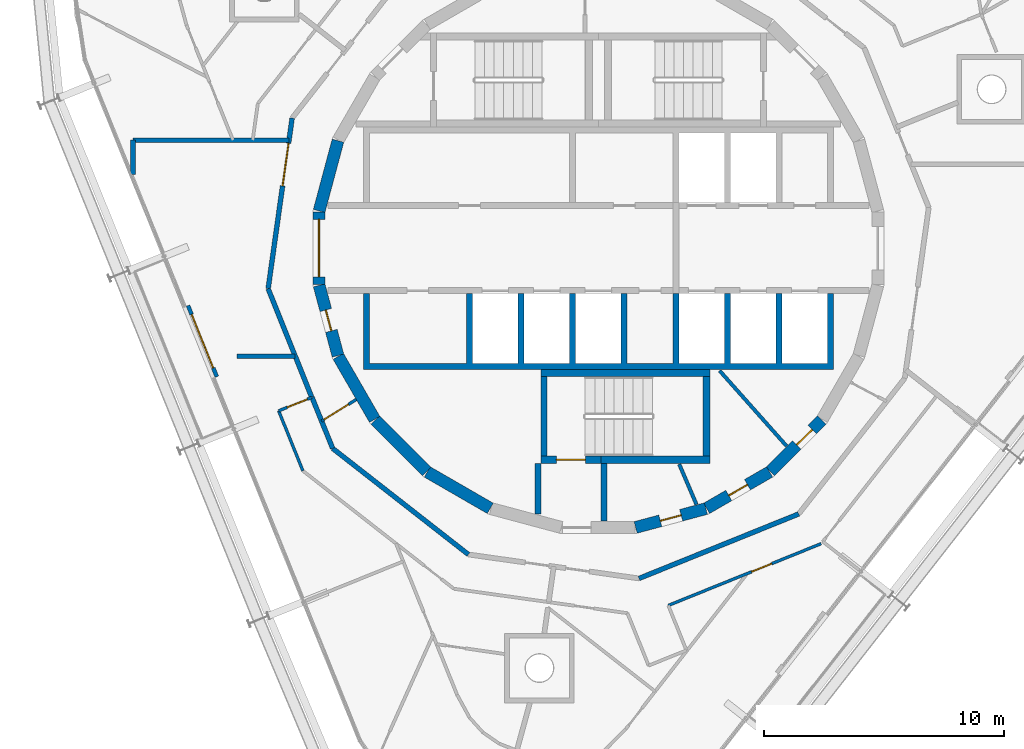
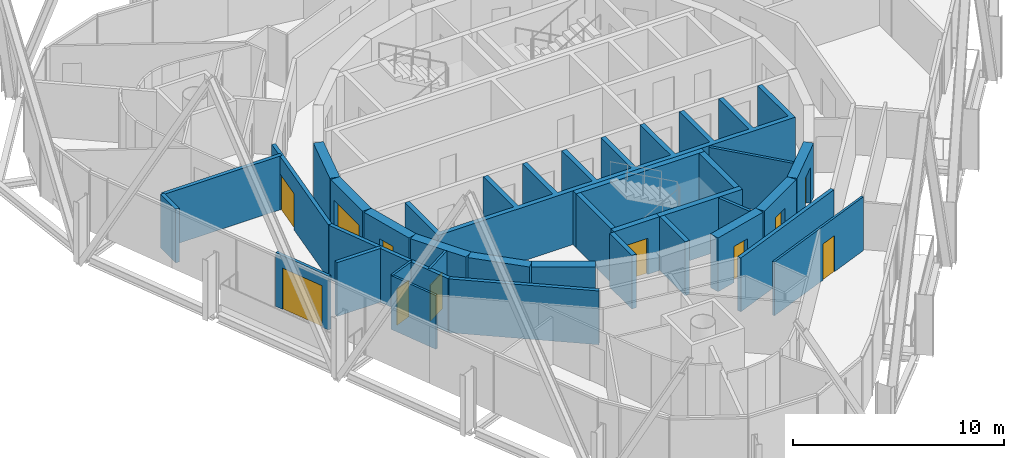
# One storey, part 10 of 15: 32 walls, 11 doors, 11 openings.
"""IFC4 building model written with IfcOpenShell, lengths in metres."""

from ifc_helpers import new_model, si_unit, direction, frame, frame_2d, origin, place, context, subcontext, project, spatial, polyline, rectangle, outline, extrude, material, layer, layer_set, type_object, element, fill, save


model = new_model("IFC4")

# Units and contexts
model_context = context("Model", 3, precision=1e-05, world=origin(), true_north=direction((0.0, 1.0)))
body_context = subcontext(model_context, "Body", "Model", "MODEL_VIEW")
ifc_project = project(units=[si_unit("LENGTHUNIT", "METRE"), si_unit("AREAUNIT", "SQUARE_METRE"), si_unit("VOLUMEUNIT", "CUBIC_METRE"), si_unit("PLANEANGLEUNIT", "RADIAN"), si_unit("MASSUNIT", "GRAM", prefix="KILO")], contexts=[model_context])

# Site, building, storey
site_placement = place(None, origin())
site = spatial("IfcSite", under=ifc_project, at=site_placement, CompositionType="ELEMENT")
building_placement = place(site_placement, origin())
building = spatial("IfcBuilding", under=site, at=building_placement, Name="Spindle Arch Residences", CompositionType="ELEMENT")
storey_placement = place(building_placement, frame((0.0, 0.0, 347.0)))
storey = spatial("IfcBuildingStorey", under=building, at=storey_placement, Name="L89", CompositionType="ELEMENT", Elevation=347.0)

# Wall, opening, door
ifc_material_1 = material(Name="Concrete C50/60", Category="concrete")
ifc_layer_1 = layer(ifc_material_1, 0.5)
ifc_layer_set_1 = layer_set([ifc_layer_1], Name="Core outline wall 500")
wall_type_1 = type_object("IfcWallType", Name="Core outline wall 500", PredefinedType="SHEAR", material=ifc_layer_set_1)
wall_1_placement = place(storey_placement, frame((1.5498046875, -11.642822265625, 0.0), z_axis=(0.0, 0.0, 1.0), x_axis=(0.965948410781, 0.258734743916, 0.0)))
wall_1 = element("IfcWall", 1, at=wall_1_placement, inside=storey, type_object=wall_type_1, Name="Core outline wall 1", PredefinedType="SHEAR", context=body_context, shape_type="SweptSolid", body=[
    extrude(rectangle(XDim=3.03271484375, YDim=0.5, at=frame_2d((1.516357421875, 0.0))), origin(), (0.0, 0.0, 1.0), 3.1201171875),
])
opening_1_placement = place(wall_1_placement, frame((1.06640625, 0.0, 0.0)))
opening_1 = element("IfcOpeningElement", 2, at=opening_1_placement, cuts=wall_1, Name="Opening R9B0-WD08", PredefinedType="OPENING", context=body_context, shape_type="SweptSolid", body=[
    extrude(rectangle(XDim=0.89990234375, YDim=2.10009765625, at=frame_2d((0.449951171875, 1.050048828125))), frame((0.0, 0.260009765625, 0.0), z_axis=(0.0, -1.0, 0.0), x_axis=(1.0, 0.0, 0.0)), (0.0, 0.0, 1.0), 0.52001953125),
])
ifc_material_2 = material(Name="Steel, fire-resisting door", Category="steel")
door_type_1 = type_object("IfcDoorType", Name="Service room door 900x2100", OperationType="SINGLE_SWING_LEFT", PredefinedType="DOOR", material=ifc_material_2)
door_1_placement = place(opening_1_placement, origin())
door_1 = element("IfcDoor", 3, at=door_1_placement, inside=storey, type_object=door_type_1, Name="Service room door R9B0-WD08", OperationType="SINGLE_SWING_RIGHT", OverallHeight=2.10009765625, OverallWidth=0.89990234375, PredefinedType="DOOR", context=body_context, shape_type="SweptSolid", body=[
    extrude(rectangle(XDim=0.89990234375, YDim=2.10009765625, at=frame_2d((0.449951171875, 1.050048828125))), frame((0.0, 0.02490234375, 0.0), z_axis=(0.0, -1.0, 0.0), x_axis=(1.0, 0.0, 0.0)), (0.0, 0.0, 1.0), 0.050048828125),
])
fill(opening_1, door_1)

wall_2_placement = place(storey_placement, frame((4.510498046875, -10.84521484375, 0.0), z_axis=(0.0, 0.0, 1.0), x_axis=(0.865975092491, 0.500087131594, 0.0)))
wall_2 = element("IfcWall", 4, at=wall_2_placement, inside=storey, type_object=wall_type_1, Name="Core outline wall 2", PredefinedType="SHEAR", context=body_context, shape_type="SweptSolid", body=[
    extrude(rectangle(XDim=3.03271484375, YDim=0.5, at=frame_2d((1.516357421875, 0.0))), origin(), (0.0, 0.0, 1.0), 3.1201171875),
])
opening_2_placement = place(wall_2_placement, frame((1.06640625, 0.0, 0.0)))
opening_2 = element("IfcOpeningElement", 5, at=opening_2_placement, cuts=wall_2, Name="Opening R9B0-WD09", PredefinedType="OPENING", context=body_context, shape_type="SweptSolid", body=[
    extrude(rectangle(XDim=0.89990234375, YDim=2.10009765625, at=frame_2d((0.449951171875, 1.050048828125))), frame((0.0, 0.260009765625, 0.0), z_axis=(0.0, -1.0, 0.0), x_axis=(1.0, 0.0, 0.0)), (0.0, 0.0, 1.0), 0.52001953125),
])
door_2_placement = place(opening_2_placement, origin())
door_2 = element("IfcDoor", 6, at=door_2_placement, inside=storey, type_object=door_type_1, Name="Service room door R9B0-WD09", OperationType="SINGLE_SWING_LEFT", OverallHeight=2.10009765625, OverallWidth=0.89990234375, PredefinedType="DOOR", context=body_context, shape_type="SweptSolid", body=[
    extrude(rectangle(XDim=0.89990234375, YDim=2.10009765625, at=frame_2d((0.449951171875, 1.050048828125))), frame((0.0, 0.02490234375, 0.0), z_axis=(0.0, -1.0, 0.0), x_axis=(1.0, 0.0, 0.0)), (0.0, 0.0, 1.0), 0.050048828125),
])
fill(opening_2, door_2)

wall_3_placement = place(storey_placement, frame((7.163818359375, -9.30810546875, 0.0), z_axis=(0.0, 0.0, 1.0), x_axis=(0.707106781187, 0.707106781187, 0.0)))
wall_3 = element("IfcWall", 7, at=wall_3_placement, inside=storey, type_object=wall_type_1, Name="Core outline wall 3", PredefinedType="SHEAR", context=body_context, shape_type="SweptSolid", body=[
    extrude(rectangle(XDim=3.032470703125, YDim=0.5, at=frame_2d((1.51611328125, 0.0))), origin(), (0.0, 0.0, 1.0), 3.1201171875),
])
opening_3_placement = place(wall_3_placement, frame((1.56640625, 0.0, 0.0)))
opening_3 = element("IfcOpeningElement", 8, at=opening_3_placement, cuts=wall_3, Name="Opening R9B0-WD07", PredefinedType="OPENING", context=body_context, shape_type="SweptSolid", body=[
    extrude(rectangle(XDim=0.89990234375, YDim=2.10009765625, at=frame_2d((0.449951171875, 1.050048828125))), frame((0.0, 0.260009765625, 0.0), z_axis=(0.0, -1.0, 0.0), x_axis=(1.0, 0.0, 0.0)), (0.0, 0.0, 1.0), 0.52001953125),
])
door_3_placement = place(opening_3_placement, origin())
door_3 = element("IfcDoor", 9, at=door_3_placement, inside=storey, type_object=door_type_1, Name="Service room door R9B0-WD07", OperationType="SINGLE_SWING_LEFT", OverallHeight=2.10009765625, OverallWidth=0.89990234375, PredefinedType="DOOR", context=body_context, shape_type="SweptSolid", body=[
    extrude(rectangle(XDim=0.89990234375, YDim=2.10009765625, at=frame_2d((0.449951171875, 1.050048828125))), frame((0.0, 0.02490234375, 0.0), z_axis=(0.0, -1.0, 0.0), x_axis=(1.0, 0.0, 0.0)), (0.0, 0.0, 1.0), 0.050048828125),
])
fill(opening_3, door_3)

# Wall
wall_4_placement = place(storey_placement, frame((-10.858154296875, 4.479248046875, 0.0), z_axis=(0.0, 0.0, 1.0), x_axis=(-0.258734743916, -0.965948410781, 0.0)))
element("IfcWall", 10, at=wall_4_placement, inside=storey, type_object=wall_type_1, Name="Core outline wall 17", PredefinedType="SHEAR", context=body_context, shape_type="SweptSolid", body=[
    extrude(rectangle(XDim=3.03271484375, YDim=0.5, at=frame_2d((1.516357421875, 0.0))), origin(), (0.0, 0.0, 1.0), 3.1201171875),
])

# Wall, opening, door
wall_5_placement = place(storey_placement, frame((-11.647216796875, 1.516357421875, 0.0), z_axis=(0.0, 0.0, 1.0), x_axis=(0.0, -1.0, 0.0)))
wall_5 = element("IfcWall", 11, at=wall_5_placement, inside=storey, type_object=wall_type_1, Name="Core outline wall 18", PredefinedType="SHEAR", context=body_context, shape_type="SweptSolid", body=[
    extrude(rectangle(XDim=3.03271484375, YDim=0.5, at=frame_2d((1.516357421875, 0.0))), origin(), (0.0, 0.0, 1.0), 3.1201171875),
])
opening_4_placement = place(wall_5_placement, frame((0.31640625, 0.0, 0.0)))
opening_4 = element("IfcOpeningElement", 12, at=opening_4_placement, cuts=wall_5, Name="Opening R9B0-LE01", PredefinedType="OPENING", context=body_context, shape_type="SweptSolid", body=[
    extrude(rectangle(XDim=2.39990234375, YDim=2.10009765625, at=frame_2d((1.199951171875, 1.050048828125))), frame((0.0, 0.260009765625, 0.0), z_axis=(0.0, -1.0, 0.0), x_axis=(1.0, 0.0, 0.0)), (0.0, 0.0, 1.0), 0.52001953125),
])
ifc_material_3 = material(Name="Steel, fire-resisting door", Category="steel")
door_type_2 = type_object("IfcDoorType", Name="Lift lobby entrance door 2400x2100", OperationType="DOUBLE_DOOR_SINGLE_SWING", PredefinedType="DOOR", material=ifc_material_3)
door_4_placement = place(opening_4_placement, origin())
door_4 = element("IfcDoor", 13, at=door_4_placement, inside=storey, type_object=door_type_2, Name="Lift lobby entrance door R9B0-LE01", OperationType="DOUBLE_DOOR_SINGLE_SWING", OverallHeight=2.10009765625, OverallWidth=2.39990234375, PredefinedType="DOOR", context=body_context, shape_type="SweptSolid", body=[
    extrude(rectangle(XDim=2.39990234375, YDim=2.10009765625, at=frame_2d((1.199951171875, 1.050048828125))), frame((0.0, 0.02490234375, 0.0), z_axis=(0.0, -1.0, 0.0), x_axis=(1.0, 0.0, 0.0)), (0.0, 0.0, 1.0), 0.050048828125),
])
fill(opening_4, door_4)

wall_6_placement = place(storey_placement, frame((-11.642822265625, -1.5498046875, 0.0), z_axis=(0.0, 0.0, 1.0), x_axis=(0.258734743916, -0.965948410781, 0.0)))
wall_6 = element("IfcWall", 14, at=wall_6_placement, inside=storey, type_object=wall_type_1, Name="Core outline wall 19", PredefinedType="SHEAR", context=body_context, shape_type="SweptSolid", body=[
    extrude(rectangle(XDim=3.03271484375, YDim=0.5, at=frame_2d((1.516357421875, 0.0))), origin(), (0.0, 0.0, 1.0), 3.1201171875),
])
opening_5_placement = place(wall_6_placement, frame((1.06640625, 0.0, 0.0)))
opening_5 = element("IfcOpeningElement", 15, at=opening_5_placement, cuts=wall_6, Name="Opening R9B0-WD10", PredefinedType="OPENING", context=body_context, shape_type="SweptSolid", body=[
    extrude(rectangle(XDim=0.89990234375, YDim=2.10009765625, at=frame_2d((0.449951171875, 1.050048828125))), frame((0.0, 0.260009765625, 0.0), z_axis=(0.0, -1.0, 0.0), x_axis=(1.0, 0.0, 0.0)), (0.0, 0.0, 1.0), 0.52001953125),
])
door_5_placement = place(opening_5_placement, origin())
door_5 = element("IfcDoor", 16, at=door_5_placement, inside=storey, type_object=door_type_1, Name="Service room door R9B0-WD10", OperationType="SINGLE_SWING_RIGHT", OverallHeight=2.10009765625, OverallWidth=0.89990234375, PredefinedType="DOOR", context=body_context, shape_type="SweptSolid", body=[
    extrude(rectangle(XDim=0.89990234375, YDim=2.10009765625, at=frame_2d((0.449951171875, 1.050048828125))), frame((0.0, 0.02490234375, 0.0), z_axis=(0.0, -1.0, 0.0), x_axis=(1.0, 0.0, 0.0)), (0.0, 0.0, 1.0), 0.050048828125),
])
fill(opening_5, door_5)

# Walls
wall_7_placement = place(storey_placement, frame((-10.84521484375, -4.510498046875, 0.0), z_axis=(0.0, 0.0, 1.0), x_axis=(0.500087131594, -0.865975092491, 0.0)))
element("IfcWall", 17, at=wall_7_placement, inside=storey, type_object=wall_type_1, Name="Core outline wall 20", PredefinedType="SHEAR", context=body_context, shape_type="SweptSolid", body=[
    extrude(rectangle(XDim=3.03271484375, YDim=0.5, at=frame_2d((1.516357421875, 0.0))), origin(), (0.0, 0.0, 1.0), 3.1201171875),
])
wall_8_placement = place(storey_placement, frame((-9.30810546875, -7.163818359375, 0.0), z_axis=(0.0, 0.0, 1.0), x_axis=(0.707106781187, -0.707106781187, 0.0)))
element("IfcWall", 18, at=wall_8_placement, inside=storey, type_object=wall_type_1, Name="Core outline wall 21", PredefinedType="SHEAR", context=body_context, shape_type="SweptSolid", body=[
    extrude(rectangle(XDim=3.032470703125, YDim=0.5, at=frame_2d((1.51611328125, 0.0))), origin(), (0.0, 0.0, 1.0), 3.1201171875),
])
wall_9_placement = place(storey_placement, frame((-7.13671875, -9.32861328125, 0.0), z_axis=(0.0, 0.0, 1.0), x_axis=(0.865975092491, -0.500087131594, 0.0)))
element("IfcWall", 19, at=wall_9_placement, inside=storey, type_object=wall_type_1, Name="Core outline wall 22", PredefinedType="SHEAR", context=body_context, shape_type="SweptSolid", body=[
    extrude(rectangle(XDim=3.03271484375, YDim=0.5, at=frame_2d((1.516357421875, 0.0))), origin(), (0.0, 0.0, 1.0), 3.1201171875),
])

# Wall, opening, door
ifc_material_4 = material(Name="Plasterboard on steel studs", Category="steel")
ifc_layer_2 = layer(ifc_material_4, 0.1201171875)
ifc_layer_set_2 = layer_set([ifc_layer_2], Name="Corridor division wall 120")
wall_type_2 = type_object("IfcWallType", Name="Corridor division wall 120", PredefinedType="PARTITIONING", material=ifc_layer_set_2)
wall_10_placement = place(storey_placement, frame((-11.539306640625, -7.21044921875, 0.0), z_axis=(0.0, 0.0, 1.0), x_axis=(0.848103039868, 0.529831325769, 0.0)))
wall_10 = element("IfcWall", 20, at=wall_10_placement, inside=storey, type_object=wall_type_2, Name="Corridor division wall R9B0-W003", PredefinedType="PARTITIONING", context=body_context, shape_type="SweptSolid", body=[
    extrude(rectangle(XDim=1.7021484375, YDim=0.1201171875, at=frame_2d((0.85107421875, 0.0))), origin(), (0.0, 0.0, 1.0), 3.1201171875),
])
opening_6_placement = place(wall_10_placement, frame((0.1201171875, 0.0, 0.0)))
opening_6 = element("IfcOpeningElement", 21, at=opening_6_placement, cuts=wall_10, Name="Opening R9B0-CD03", PredefinedType="OPENING", context=body_context, shape_type="SweptSolid", body=[
    extrude(rectangle(XDim=1.199951171875, YDim=2.10009765625, at=frame_2d((0.60009765625, 1.050048828125))), frame((0.0, 0.070068359375, 0.0), z_axis=(0.0, -1.0, 0.0), x_axis=(1.0, 0.0, 0.0)), (0.0, 0.0, 1.0), 0.14013671875),
])
ifc_material_5 = material(Name="Steel, fire-resisting door", Category="steel")
door_type_3 = type_object("IfcDoorType", Name="Corridor division door 1200x2100", OperationType="NOTDEFINED", PredefinedType="DOOR", material=ifc_material_5)
door_6_placement = place(opening_6_placement, origin())
door_6 = element("IfcDoor", 22, at=door_6_placement, inside=storey, type_object=door_type_3, Name="Corridor division door R9B0-CD03", OperationType="DOUBLE_DOOR_SINGLE_SWING", OverallHeight=2.10009765625, OverallWidth=1.199951171875, PredefinedType="DOOR", context=body_context, shape_type="SweptSolid", body=[
    extrude(rectangle(XDim=1.199951171875, YDim=2.10009765625, at=frame_2d((0.60009765625, 1.050048828125))), frame((0.0, 0.02490234375, 0.0), z_axis=(0.0, -1.0, 0.0), x_axis=(1.0, 0.0, 0.0)), (0.0, 0.0, 1.0), 0.050048828125),
])
fill(opening_6, door_6)

# Walls
ifc_material_6 = material(Name="Calcium silicate block, plastered")
ifc_layer_3 = layer(ifc_material_6, 0.199951171875)
ifc_layer_set_3 = layer_set([ifc_layer_3], Name="Corridor wall 200")
wall_type_3 = type_object("IfcWallType", Name="Corridor wall 200", PredefinedType="STANDARD", material=ifc_layer_set_3)
wall_11_placement = place(storey_placement, frame((-11.939453125, -6.2197265625, 0.0), z_axis=(0.0, 0.0, 1.0), x_axis=(0.374651128394, -0.927165860024, 0.0)))
element("IfcWall", 23, at=wall_11_placement, inside=storey, type_object=wall_type_3, Name="Corridor wall R9B0-W013", PredefinedType="STANDARD", context=body_context, shape_type="SweptSolid", body=[
    extrude(rectangle(XDim=2.29638671875, YDim=0.199951171875, at=frame_2d((1.148193359375, 0.0))), origin(), (0.0, 0.0, 1.0), 3.1201171875),
])
for number, where, z_axis, x_axis, name in (
    (24, (-11.0791015625, -8.348876953125, 0.0), (0.0, 0.0, 1.0), (0.78800478687, -0.615669112324, 0.0), "Corridor wall R9B0-W014"),
    (25, (1.690673828125, -13.769287109375, 0.0), (0.0, 0.0, 1.0), (0.92717916932, 0.374618189599, 0.0), "Corridor wall R9B0-W016"),
):
    element("IfcWall", number, at=place(storey_placement, frame(where, z_axis=z_axis, x_axis=x_axis)), inside=storey, type_object=wall_type_3, Name=name, PredefinedType="STANDARD", context=body_context, shape_type="SweptSolid", body=[
        extrude(rectangle(XDim=7.18115234375, YDim=0.199951171875, at=frame_2d((3.590576171875, 0.0))), origin(), (0.0, 0.0, 1.0), 3.1201171875),
    ])

# Wall, opening, door
ifc_material_7 = material(Name="Plasterboard on steel studs", Category="steel")
ifc_layer_4 = layer(ifc_material_7, 0.1201171875)
ifc_layer_set_4 = layer_set([ifc_layer_4], Name="Flat partition 120")
wall_type_4 = type_object("IfcWallType", Name="Flat partition 120", PredefinedType="PARTITIONING", material=ifc_layer_set_4)
wall_12_placement = place(storey_placement, frame((-11.953369140625, -6.225341796875, 0.0), z_axis=(0.0, 0.0, 1.0), x_axis=(-0.927144096717, -0.374704982518, 0.0)))
wall_12 = element("IfcWall", 26, at=wall_12_placement, inside=storey, type_object=wall_type_4, Name="Flat partition R9B0-W073", PredefinedType="PARTITIONING", context=body_context, shape_type="SweptSolid", body=[
    extrude(rectangle(XDim=1.48486328125, YDim=0.1201171875, at=frame_2d((0.742431640625, 0.0))), origin(), (0.0, 0.0, 1.0), 3.1201171875),
])
opening_7_placement = place(wall_12_placement, frame((0.199951171875, 0.0, 0.0)))
opening_7 = element("IfcOpeningElement", 27, at=opening_7_placement, cuts=wall_12, Name="Opening R9B0-ID15", PredefinedType="OPENING", context=body_context, shape_type="SweptSolid", body=[
    extrude(rectangle(XDim=0.89990234375, YDim=2.10009765625, at=frame_2d((0.449951171875, 1.050048828125))), frame((0.0, 0.070068359375, 0.0), z_axis=(0.0, -1.0, 0.0), x_axis=(1.0, 0.0, 0.0)), (0.0, 0.0, 1.0), 0.14013671875),
])
ifc_material_8 = material(Name="Timber door set", Category="wood")
door_type_4 = type_object("IfcDoorType", Name="Room door 900x2100", OperationType="NOTDEFINED", PredefinedType="DOOR", material=ifc_material_8)
door_7_placement = place(opening_7_placement, origin())
door_7 = element("IfcDoor", 28, at=door_7_placement, inside=storey, type_object=door_type_4, Name="Room door R9B0-ID15", OperationType="SINGLE_SWING_LEFT", OverallHeight=2.10009765625, OverallWidth=0.89990234375, PredefinedType="DOOR", context=body_context, shape_type="SweptSolid", body=[
    extrude(rectangle(XDim=0.89990234375, YDim=2.10009765625, at=frame_2d((0.449951171875, 1.050048828125))), frame((0.0, 0.02490234375, 0.0), z_axis=(0.0, -1.0, 0.0), x_axis=(1.0, 0.0, 0.0)), (0.0, 0.0, 1.0), 0.050048828125),
])
fill(opening_7, door_7)

# Wall
wall_13_placement = place(storey_placement, frame((-13.330078125, -6.78173828125, 0.0), z_axis=(0.0, 0.0, 1.0), x_axis=(0.374602180132, -0.927185637637, 0.0)))
element("IfcWall", 29, at=wall_13_placement, inside=storey, type_object=wall_type_4, Name="Flat partition R9B0-W074", PredefinedType="PARTITIONING", context=body_context, shape_type="SweptSolid", body=[
    extrude(rectangle(XDim=2.6982421875, YDim=0.1201171875, at=frame_2d((1.34912109375, 0.0))), origin(), (0.0, 0.0, 1.0), 3.1201171875),
])

# Wall, opening, door
wall_14_placement = place(storey_placement, frame((2.912109375, -14.8935546875, 0.0), z_axis=(0.0, 0.0, 1.0), x_axis=(0.927182280165, 0.374610490174, 0.0)))
wall_14 = element("IfcWall", 30, at=wall_14_placement, inside=storey, type_object=wall_type_4, Name="Flat partition R9B0-W088", PredefinedType="PARTITIONING", context=body_context, shape_type="SweptSolid", body=[
    extrude(rectangle(XDim=6.871826171875, YDim=0.1201171875, at=frame_2d((3.43603515625, 0.0))), origin(), (0.0, 0.0, 1.0), 3.1201171875),
])
opening_8_placement = place(wall_14_placement, frame((3.748291015625, 0.0, 0.0)))
opening_8 = element("IfcOpeningElement", 31, at=opening_8_placement, cuts=wall_14, Name="Opening R9B0-ID19", PredefinedType="OPENING", context=body_context, shape_type="SweptSolid", body=[
    extrude(rectangle(XDim=0.89990234375, YDim=2.10009765625, at=frame_2d((0.449951171875, 1.050048828125))), frame((0.0, 0.070068359375, 0.0), z_axis=(0.0, -1.0, 0.0), x_axis=(1.0, 0.0, 0.0)), (0.0, 0.0, 1.0), 0.14013671875),
])
door_8_placement = place(opening_8_placement, origin())
door_8 = element("IfcDoor", 32, at=door_8_placement, inside=storey, type_object=door_type_4, Name="Room door R9B0-ID19", OperationType="SINGLE_SWING_LEFT", OverallHeight=2.10009765625, OverallWidth=0.89990234375, PredefinedType="DOOR", context=body_context, shape_type="SweptSolid", body=[
    extrude(rectangle(XDim=0.89990234375, YDim=2.10009765625, at=frame_2d((0.449951171875, 1.050048828125))), frame((0.0, 0.02490234375, 0.0), z_axis=(0.0, -1.0, 0.0), x_axis=(1.0, 0.0, 0.0)), (0.0, 0.0, 1.0), 0.050048828125),
])
fill(opening_8, door_8)

ifc_material_9 = material(Name="Non-combustible mineral wool insulated aluminium faced external wall (K0)", Category="aluminium")
ifc_layer_5 = layer(ifc_material_9, 0.159912109375)
ifc_layer_set_5 = layer_set([ifc_layer_5], Name="Insulated external wall panel 160")
wall_type_5 = type_object("IfcWallType", Name="Insulated external wall panel 160", PredefinedType="STANDARD", material=ifc_layer_set_5)
wall_15_placement = place(storey_placement, frame((-17.107177734375, -2.394287109375, 0.0), z_axis=(0.0, 0.0, 1.0), x_axis=(0.374598019739, -0.927187318511, 0.0)))
wall_15 = element("IfcWall", 33, at=wall_15_placement, inside=storey, type_object=wall_type_5, Name="External wall L89 bay 13", PredefinedType="STANDARD", context=body_context, shape_type="SweptSolid", body=[
    extrude(rectangle(XDim=3.199951171875, YDim=0.159912109375, at=frame_2d((1.60009765625, 0.0))), origin(), (0.0, 0.0, 1.0), 3.1201171875),
])
opening_9_placement = place(wall_15_placement, frame((0.39990234375, 0.0, 0.0)))
opening_9 = element("IfcOpeningElement", 34, at=opening_9_placement, cuts=wall_15, Name="Opening BD13", PredefinedType="OPENING", context=body_context, shape_type="SweptSolid", body=[
    extrude(rectangle(XDim=2.39990234375, YDim=2.39990234375, at=frame_2d((1.199951171875, 1.199951171875))), frame((0.0, 0.08984375, 0.0), z_axis=(0.0, -1.0, 0.0), x_axis=(1.0, 0.0, 0.0)), (0.0, 0.0, 1.0), 0.179931640625),
])
ifc_material_10 = material(Name="Bronze aluminium frame, tinted double glazing", Category="aluminium")
door_type_5 = type_object("IfcDoorType", Name="Sliding glazed balcony door 2400x2400", OperationType="DOUBLE_DOOR_SLIDING", PredefinedType="DOOR", material=ifc_material_10)
door_9_placement = place(opening_9_placement, origin())
door_9 = element("IfcDoor", 35, at=door_9_placement, inside=storey, type_object=door_type_5, Name="Balcony door BD13", OperationType="DOUBLE_DOOR_SLIDING", OverallHeight=2.39990234375, OverallWidth=2.39990234375, PredefinedType="DOOR", context=body_context, shape_type="SweptSolid", body=[
    extrude(rectangle(XDim=2.39990234375, YDim=2.39990234375, at=frame_2d((1.199951171875, 1.199951171875))), frame((0.0, 0.02490234375, 0.0), z_axis=(0.0, -1.0, 0.0), x_axis=(1.0, 0.0, 0.0)), (0.0, 0.0, 1.0), 0.050048828125),
])
fill(opening_9, door_9)

ifc_material_11 = material(Name="Calcium silicate block, plastered")
ifc_layer_6 = layer(ifc_material_11, 0.199951171875)
ifc_layer_set_6 = layer_set([ifc_layer_6], Name="Lift lobby bay wall 200")
wall_type_6 = type_object("IfcWallType", Name="Lift lobby bay wall 200", PredefinedType="STANDARD", material=ifc_layer_set_6)
wall_16_placement = place(storey_placement, frame((-12.77001953125, 5.42041015625, 0.0), z_axis=(0.0, 0.0, 1.0), x_axis=(-0.139155334385, -0.990270565508, 0.0)))
wall_16 = element("IfcWall", 36, at=wall_16_placement, inside=storey, type_object=wall_type_6, Name="Lift lobby bay wall R9B0-W009", PredefinedType="STANDARD", context=body_context, shape_type="SweptSolid", body=[
    extrude(rectangle(XDim=7.180908203125, YDim=0.199951171875, at=frame_2d((3.59033203125, 0.0))), origin(), (0.0, 0.0, 1.0), 3.1201171875),
])
opening_10_placement = place(wall_16_placement, frame((1.0546875, 0.0, 0.0)))
opening_10 = element("IfcOpeningElement", 37, at=opening_10_placement, cuts=wall_16, Name="Opening R9B0-LB01", PredefinedType="OPENING", context=body_context, shape_type="SweptSolid", body=[
    extrude(rectangle(XDim=1.800048828125, YDim=2.10009765625, at=frame_2d((0.89990234375, 1.050048828125))), frame((0.0, 0.10986328125, 0.0), z_axis=(0.0, -1.0, 0.0), x_axis=(1.0, 0.0, 0.0)), (0.0, 0.0, 1.0), 0.219970703125),
])
ifc_material_12 = material(Name="Steel, fire-resisting door", Category="steel")
door_type_6 = type_object("IfcDoorType", Name="Lift lobby bay door 1800x2100", OperationType="NOTDEFINED", PredefinedType="DOOR", material=ifc_material_12)
door_10_placement = place(opening_10_placement, origin())
door_10 = element("IfcDoor", 38, at=door_10_placement, inside=storey, type_object=door_type_6, Name="Lift lobby bay door R9B0-LB01", OperationType="DOUBLE_DOOR_SINGLE_SWING", OverallHeight=2.10009765625, OverallWidth=1.800048828125, PredefinedType="DOOR", context=body_context, shape_type="SweptSolid", body=[
    extrude(rectangle(XDim=1.800048828125, YDim=2.10009765625, at=frame_2d((0.89990234375, 1.050048828125))), frame((0.0, 0.02490234375, 0.0), z_axis=(0.0, -1.0, 0.0), x_axis=(1.0, 0.0, 0.0)), (0.0, 0.0, 1.0), 0.050048828125),
])
fill(opening_10, door_10)

# Walls
wall_17_placement = place(storey_placement, frame((-13.769287109375, -1.690673828125, 0.0), z_axis=(0.0, 0.0, 1.0), x_axis=(0.372720094028, -0.927943819155, 0.0)))
element("IfcWall", 39, at=wall_17_placement, inside=storey, type_object=wall_type_6, Name="Lift lobby bay wall R9B0-W010", PredefinedType="STANDARD", context=body_context, shape_type="SweptSolid", body=[
    extrude(rectangle(XDim=4.874755859375, YDim=0.199951171875, at=frame_2d((2.4375, 0.0))), origin(), (0.0, 0.0, 1.0), 3.1201171875),
])
wall_18_placement = place(storey_placement, frame((-12.8994140625, 4.5, 0.0), z_axis=(0.0, 0.0, 1.0), x_axis=(-1.0, 0.0, 0.0)))
element("IfcWall", 40, at=wall_18_placement, inside=storey, type_object=wall_type_6, Name="Lift lobby bay wall R9B0-W017", PredefinedType="STANDARD", context=body_context, shape_type="SweptSolid", body=[
    extrude(rectangle(XDim=6.50048828125, YDim=0.199951171875, at=frame_2d((3.250244140625, 0.0))), origin(), (0.0, 0.0, 1.0), 3.1201171875),
])
wall_19_placement = place(storey_placement, frame((-19.39990234375, 4.5, 0.0), z_axis=(0.0, 0.0, 1.0), x_axis=(0.0, -1.0, 0.0)))
element("IfcWall", 41, at=wall_19_placement, inside=storey, type_object=wall_type_6, Name="Lift lobby bay wall R9B0-W018", PredefinedType="STANDARD", context=body_context, shape_type="SweptSolid", body=[
    extrude(rectangle(XDim=1.432861328125, YDim=0.199951171875, at=frame_2d((0.71630859375, 0.0))), origin(), (0.0, 0.0, 1.0), 3.1201171875),
])
wall_20_placement = place(storey_placement, frame((-15.07373046875, -4.510009765625, 0.0), z_axis=(0.0, 0.0, 1.0), x_axis=(1.0, 0.0, 0.0)))
element("IfcWall", 42, at=wall_20_placement, inside=storey, type_object=wall_type_6, Name="Lift lobby bay wall R9B0-W019", PredefinedType="STANDARD", context=body_context, shape_type="SweptSolid", body=[
    extrude(rectangle(XDim=2.4326171875, YDim=0.199951171875, at=frame_2d((1.21630859375, 0.0))), origin(), (0.0, 0.0, 1.0), 3.1201171875),
])
ifc_material_13 = material(Name="Concrete C50/60", Category="concrete")
wall_type_7 = type_object("IfcWallType", Name="Lift shaft wall profile", PredefinedType="SHEAR", material=ifc_material_13)
wall_21_placement = place(storey_placement, origin())
element("IfcWall", 43, at=wall_21_placement, inside=storey, type_object=wall_type_7, Name="Lift shaft walls S", PredefinedType="SHEAR", context=body_context, shape_type="SweptSolid", body=[
    extrude(outline(polyline([(9.800048828125, -5.050048828125), (9.800048828125, -4.800048828125), (9.800048828125, -1.89990234375), (9.550048828125, -1.89990234375), (9.550048828125, -4.800048828125), (7.64990234375, -4.800048828125), (7.64990234375, -1.89990234375), (7.39990234375, -1.89990234375), (7.39990234375, -4.800048828125), (5.5, -4.800048828125), (5.5, -1.89990234375), (5.25, -1.89990234375), (5.25, -4.800048828125), (3.35009765625, -4.800048828125), (3.35009765625, -1.89990234375), (3.10009765625, -1.89990234375), (3.10009765625, -4.800048828125), (1.199951171875, -4.800048828125), (1.199951171875, -1.89990234375), (0.949951171875, -1.89990234375), (0.949951171875, -4.800048828125), (-0.949951171875, -4.800048828125), (-0.949951171875, -1.89990234375), (-1.199951171875, -1.89990234375), (-1.199951171875, -4.800048828125), (-3.10009765625, -4.800048828125), (-3.10009765625, -1.89990234375), (-3.35009765625, -1.89990234375), (-3.35009765625, -4.800048828125), (-5.25, -4.800048828125), (-5.25, -1.89990234375), (-5.5, -1.89990234375), (-5.5, -4.800048828125), (-9.550048828125, -4.800048828125), (-9.550048828125, -1.89990234375), (-9.800048828125, -1.89990234375), (-9.800048828125, -4.800048828125), (-9.800048828125, -5.050048828125), (9.800048828125, -5.050048828125)])), origin(), (0.0, 0.0, 1.0), 3.1201171875),
])
ifc_material_14 = material(Name="Concrete C25/30", Category="concrete")
ifc_layer_7 = layer(ifc_material_14, 0.14990234375)
ifc_layer_set_7 = layer_set([ifc_layer_7], Name="Service room partition 150")
wall_type_8 = type_object("IfcWallType", Name="Service room partition 150", PredefinedType="PARTITIONING", material=ifc_layer_set_7)
wall_22_placement = place(storey_placement, frame((7.84228515625, -8.24755859375, 0.0), z_axis=(0.0, 0.0, 1.0), x_axis=(-0.66446128181, 0.747322691329, 0.0)))
element("IfcWall", 44, at=wall_22_placement, inside=storey, type_object=wall_type_8, Name="Core service room partition", PredefinedType="PARTITIONING", context=body_context, shape_type="SweptSolid", body=[
    extrude(rectangle(XDim=4.198486328125, YDim=0.14990234375, at=frame_2d((2.09912109375, 0.0))), origin(), (0.0, 0.0, 1.0), 3.1201171875),
])
wall_23_placement = place(storey_placement, frame((3.366943359375, -9.0068359375, 0.0), z_axis=(0.0, 0.0, 1.0), x_axis=(0.394387482265, -0.918944238696, 0.0)))
element("IfcWall", 45, at=wall_23_placement, inside=storey, type_object=wall_type_8, Name="Core service room partition", PredefinedType="PARTITIONING", context=body_context, shape_type="SweptSolid", body=[
    extrude(rectangle(XDim=1.824951171875, YDim=0.14990234375, at=frame_2d((0.91259765625, 0.0))), origin(), (0.0, 0.0, 1.0), 3.1201171875),
])
ifc_material_15 = material(Name="Concrete C40/50", Category="concrete")
ifc_layer_8 = layer(ifc_material_15, 0.25)
ifc_layer_set_8 = layer_set([ifc_layer_8], Name="Stair airlock wall 250")
wall_type_9 = type_object("IfcWallType", Name="Stair airlock wall 250", PredefinedType="SHEAR", material=ifc_layer_set_8)
wall_24_placement = place(storey_placement, frame((-2.52490234375, -8.969970703125, 0.0), z_axis=(0.0, 0.0, 1.0), x_axis=(0.0, -1.0, 0.0)))
element("IfcWall", 46, at=wall_24_placement, inside=storey, type_object=wall_type_9, Name="Stair ST-3 airlock wall W", PredefinedType="SHEAR", context=body_context, shape_type="SweptSolid", body=[
    extrude(rectangle(XDim=2.110107421875, YDim=0.25, at=frame_2d((1.05517578125, 0.0))), origin(), (0.0, 0.0, 1.0), 3.1201171875),
])
wall_25_placement = place(storey_placement, frame((0.22509765625, -8.969970703125, 0.0), z_axis=(0.0, 0.0, 1.0), x_axis=(0.0, -1.0, 0.0)))
element("IfcWall", 47, at=wall_25_placement, inside=storey, type_object=wall_type_9, Name="Stair ST-3 airlock wall E", PredefinedType="SHEAR", context=body_context, shape_type="SweptSolid", body=[
    extrude(rectangle(XDim=2.409912109375, YDim=0.25, at=frame_2d((1.205078125, 0.0))), origin(), (0.0, 0.0, 1.0), 3.1201171875),
])
ifc_material_16 = material(Name="Concrete C50/60", Category="concrete")
ifc_layer_9 = layer(ifc_material_16, 0.25)
ifc_layer_set_9 = layer_set([ifc_layer_9], Name="Stair enclosure wall 250")
wall_type_10 = type_object("IfcWallType", Name="Stair enclosure wall 250", PredefinedType="SHEAR", material=ifc_layer_set_9)
wall_26_placement = place(storey_placement, frame((-2.27490234375, -8.669921875, 0.0), z_axis=(0.0, 0.0, 1.0), x_axis=(0.0, 1.0, 0.0)))
element("IfcWall", 48, at=wall_26_placement, inside=storey, type_object=wall_type_10, Name="Stair ST-3 enclosure wall W", PredefinedType="SHEAR", context=body_context, shape_type="SweptSolid", body=[
    extrude(rectangle(XDim=3.31982421875, YDim=0.25, at=frame_2d((1.659912109375, 0.0))), origin(), (0.0, 0.0, 1.0), 3.1201171875),
])
ifc_material_17 = material(Name="Concrete C50/60", Category="concrete")
ifc_layer_10 = layer(ifc_material_17, 0.300048828125)
ifc_layer_set_10 = layer_set([ifc_layer_10], Name="Stair enclosure wall 300")
wall_type_11 = type_object("IfcWallType", Name="Stair enclosure wall 300", PredefinedType="SHEAR", material=ifc_layer_set_10)
wall_27_placement = place(storey_placement, frame((-2.39990234375, -5.199951171875, 0.0), z_axis=(0.0, 0.0, 1.0), x_axis=(1.0, 0.0, 0.0)))
element("IfcWall", 49, at=wall_27_placement, inside=storey, type_object=wall_type_11, Name="Stair ST-3 enclosure wall N", PredefinedType="SHEAR", context=body_context, shape_type="SweptSolid", body=[
    extrude(rectangle(XDim=7.0498046875, YDim=0.300048828125, at=frame_2d((3.52490234375, 0.0))), origin(), (0.0, 0.0, 1.0), 3.1201171875),
])
wall_28_placement = place(storey_placement, frame((4.5, -8.669921875, 0.0), z_axis=(0.0, 0.0, 1.0), x_axis=(0.0, 1.0, 0.0)))
element("IfcWall", 50, at=wall_28_placement, inside=storey, type_object=wall_type_11, Name="Stair ST-3 enclosure wall E", PredefinedType="SHEAR", context=body_context, shape_type="SweptSolid", body=[
    extrude(rectangle(XDim=3.31982421875, YDim=0.300048828125, at=frame_2d((1.659912109375, 0.0))), origin(), (0.0, 0.0, 1.0), 3.1201171875),
])
wall_29_placement = place(storey_placement, frame((0.10009765625, -8.820068359375, 0.0), z_axis=(0.0, 0.0, 1.0), x_axis=(1.0, 0.0, 0.0)))
element("IfcWall", 51, at=wall_29_placement, inside=storey, type_object=wall_type_11, Name="Stair ST-3 enclosure wall S", PredefinedType="SHEAR", context=body_context, shape_type="SweptSolid", body=[
    extrude(rectangle(XDim=4.5498046875, YDim=0.300048828125, at=frame_2d((2.27490234375, 0.0))), origin(), (0.0, 0.0, 1.0), 3.1201171875),
])

# Wall, opening, door
wall_30_placement = place(storey_placement, frame((-2.39990234375, -8.820068359375, 0.0), z_axis=(0.0, 0.0, 1.0), x_axis=(1.0, 0.0, 0.0)))
wall_30 = element("IfcWall", 52, at=wall_30_placement, inside=storey, type_object=wall_type_11, Name="Stair ST-3 door wall", PredefinedType="SHEAR", context=body_context, shape_type="SweptSolid", body=[
    extrude(rectangle(XDim=2.5, YDim=0.300048828125, at=frame_2d((1.25, 0.0))), origin(), (0.0, 0.0, 1.0), 3.1201171875),
])
opening_11_placement = place(wall_30_placement, frame((0.64990234375, 0.0, 0.0)))
opening_11 = element("IfcOpeningElement", 53, at=opening_11_placement, cuts=wall_30, Name="Opening R9B0-SD03", PredefinedType="OPENING", context=body_context, shape_type="SweptSolid", body=[
    extrude(rectangle(XDim=1.199951171875, YDim=2.10009765625, at=frame_2d((0.60009765625, 1.050048828125))), frame((0.0, 0.16015625, 0.0), z_axis=(0.0, -1.0, 0.0), x_axis=(1.0, 0.0, 0.0)), (0.0, 0.0, 1.0), 0.320068359375),
])
ifc_material_18 = material(Name="Steel, fire-resisting door", Category="steel")
door_type_7 = type_object("IfcDoorType", Name="Stair door 1200x2100", OperationType="SINGLE_SWING_RIGHT", PredefinedType="DOOR", material=ifc_material_18)
door_11_placement = place(opening_11_placement, origin())
door_11 = element("IfcDoor", 54, at=door_11_placement, inside=storey, type_object=door_type_7, Name="Stair door R9B0-SD03", OperationType="SINGLE_SWING_LEFT", OverallHeight=2.10009765625, OverallWidth=1.199951171875, PredefinedType="DOOR", context=body_context, shape_type="SweptSolid", body=[
    extrude(rectangle(XDim=1.199951171875, YDim=2.10009765625, at=frame_2d((0.60009765625, 1.050048828125))), frame((0.0, 0.02490234375, 0.0), z_axis=(0.0, -1.0, 0.0), x_axis=(1.0, 0.0, 0.0)), (0.0, 0.0, 1.0), 0.050048828125),
])
fill(opening_11, door_11)

save(model, "model.ifc")
